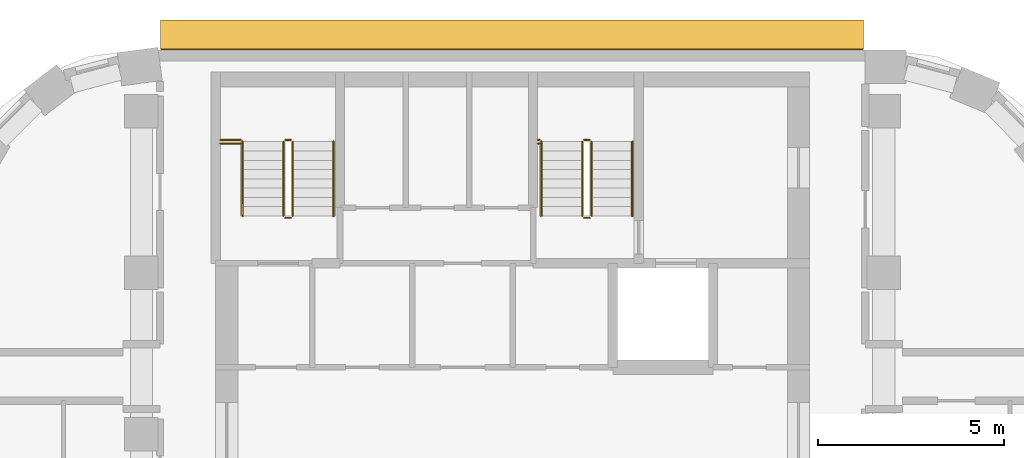
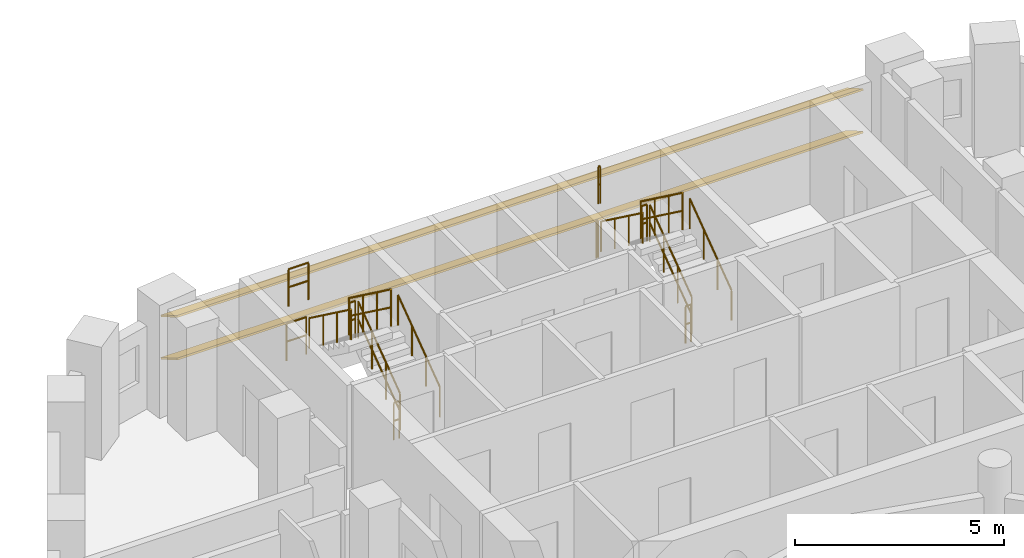
# One storey, part 12 of 12: 16 railings, 2 shading devices.
"""IFC4 building model written with IfcOpenShell, lengths in metres."""

from ifc_helpers import new_model, si_unit, direction, frame, origin, origin_2d, place, context, subcontext, project, spatial, rectangle, circle, extrude, material, material_profile, profile_set, type_object, element, save


model = new_model("IFC4")

# Units and contexts
model_context = context("Model", 3, precision=1e-05, world=origin(), true_north=direction((0.0, 1.0)))
body_context = subcontext(model_context, "Body", "Model", "MODEL_VIEW")
ifc_project = project(units=[si_unit("LENGTHUNIT", "METRE"), si_unit("AREAUNIT", "SQUARE_METRE"), si_unit("VOLUMEUNIT", "CUBIC_METRE"), si_unit("PLANEANGLEUNIT", "RADIAN"), si_unit("MASSUNIT", "GRAM", prefix="KILO")], contexts=[model_context])

# Site, building, storey
site_placement = place(None, origin())
site = spatial("IfcSite", under=ifc_project, at=site_placement, CompositionType="ELEMENT")
building_placement = place(site_placement, origin())
building = spatial("IfcBuilding", under=site, at=building_placement, Name="Nakaniwa Court", CompositionType="ELEMENT")
storey_placement = place(building_placement, frame((0.0, 0.0, 252.60009765625)))
storey = spatial("IfcBuildingStorey", under=building, at=storey_placement, Name="L66", CompositionType="ELEMENT", Elevation=252.60009765625)

# Shading devices
ifc_material_1 = material(Name="Perforated charcoal ceramic louvre blade")
ifc_material_profile = material_profile(ifc_material_1, rectangle(XDim=0.89990234375, YDim=0.050048828125, at=origin_2d()), Name="Perforated ceramic louvre blade")
ifc_profile_set = profile_set([ifc_material_profile], Name="Perforated charcoal ceramic louvre blade")
shading_device_type = type_object("IfcShadingDeviceType", Name="Perforated ceramic louvre blade", PredefinedType="JALOUSIE", material=ifc_profile_set)
for number, where, z_axis, x_axis, name in (
    (1, (89.44921875, 103.05224609375, 0.5498046875), (-1.0, 0.0, 0.0), (0.0, -0.866025403784, 0.5), "L66 perforated ceramic louvre blade w08 1"),
    (2, (89.44921875, 103.05224609375, 1.793212890625), (-1.0, 0.0, 0.0), (0.0, -0.866025403784, 0.5), "L66 perforated ceramic louvre blade w08 2"),
):
    element("IfcShadingDevice", number, at=place(storey_placement, frame(where, z_axis=z_axis, x_axis=x_axis)), inside=storey, type_object=shading_device_type, Name=name, PredefinedType="JALOUSIE", context=body_context, shape_type="SweptSolid", body=[
        extrude(rectangle(XDim=0.89990234375, YDim=0.050048828125, at=origin_2d()), origin(), (0.0, 0.0, 1.0), 18.933349609375),
    ])

# Railings
ifc_material_2 = material(Name="Black powder coated steel guard", Category="steel")
railing_type_1 = type_object("IfcRailingType", Name="Stair guard 1100", PredefinedType="GUARDRAIL", material=ifc_material_2)
railing_1_placement = place(storey_placement, frame((74.074951171875, 98.175048828125, 0.183349609375)))
element("IfcRailing", 3, at=railing_1_placement, inside=storey, type_object=railing_type_1, Name="L66 ST1 stair guard 1", PredefinedType="GUARDRAIL", context=body_context, shape_type="SweptSolid", body=[
    extrude(circle(Radius=0.02392578125, at=origin_2d()), frame((0.0, 0.0, 1.076171875), z_axis=(0.0, 0.806426902644, 0.591333789573), x_axis=(-1.0, 0.0, 0.0)), (0.0, 0.0, 1.0), 2.47998046875),
    extrude(circle(Radius=0.02392578125, at=origin_2d()), frame((0.0, 0.0, 0.550048828125), z_axis=(0.0, 0.806426902644, 0.591333789573), x_axis=(-1.0, 0.0, 0.0)), (0.0, 0.0, 1.0), 2.47998046875),
    extrude(circle(Radius=0.02099609375, at=origin_2d()), origin(), (0.0, 0.0, 1.0), 1.052001953125),
    extrude(circle(Radius=0.02099609375, at=origin_2d()), frame((0.0, 0.666748046875, 0.48876953125)), (0.0, 0.0, 1.0), 1.052001953125),
    extrude(circle(Radius=0.02099609375, at=origin_2d()), frame((0.0, 1.333251953125, 0.977783203125)), (0.0, 0.0, 1.0), 1.052001953125),
    extrude(circle(Radius=0.02099609375, at=origin_2d()), frame((0.0, 2.0, 1.466552734375)), (0.0, 0.0, 1.0), 1.052001953125),
])
railing_2_placement = place(storey_placement, frame((74.02490234375, 100.22509765625, 1.64990234375)))
element("IfcRailing", 4, at=railing_2_placement, inside=storey, type_object=railing_type_1, Name="L66 ST1 stair guard 2", PredefinedType="GUARDRAIL", context=body_context, shape_type="SweptSolid", body=[
    extrude(circle(Radius=0.02392578125, at=origin_2d()), frame((0.0, 0.0, 1.076171875), z_axis=(-1.0, 0.0, 0.0), x_axis=(0.0, -1.0, 0.0)), (0.0, 0.0, 1.0), 0.14990234375),
    extrude(circle(Radius=0.02392578125, at=origin_2d()), frame((0.0, 0.0, 0.550048828125), z_axis=(-1.0, 0.0, 0.0), x_axis=(0.0, -1.0, 0.0)), (0.0, 0.0, 1.0), 0.14990234375),
    extrude(circle(Radius=0.02099609375, at=origin_2d()), origin(), (0.0, 0.0, 1.0), 1.052001953125),
    extrude(circle(Radius=0.02099609375, at=origin_2d()), frame((-0.14990234375, 0.0, 0.0)), (0.0, 0.0, 1.0), 1.052001953125),
])
railing_3_placement = place(storey_placement, frame((73.824951171875, 100.175048828125, 1.833251953125)))
element("IfcRailing", 5, at=railing_3_placement, inside=storey, type_object=railing_type_1, Name="L66 ST1 stair guard 3", PredefinedType="GUARDRAIL", context=body_context, shape_type="SweptSolid", body=[
    extrude(circle(Radius=0.02392578125, at=origin_2d()), frame((0.0, 0.0, 1.076171875), z_axis=(0.0, -0.806426902644, 0.591333789573), x_axis=(1.0, 0.0, 0.0)), (0.0, 0.0, 1.0), 2.47998046875),
    extrude(circle(Radius=0.02392578125, at=origin_2d()), frame((0.0, 0.0, 0.550048828125), z_axis=(0.0, -0.806426902644, 0.591333789573), x_axis=(1.0, 0.0, 0.0)), (0.0, 0.0, 1.0), 2.47998046875),
    extrude(circle(Radius=0.02099609375, at=origin_2d()), origin(), (0.0, 0.0, 1.0), 1.052001953125),
    extrude(circle(Radius=0.02099609375, at=origin_2d()), frame((0.0, -0.666748046875, 0.48876953125)), (0.0, 0.0, 1.0), 1.052001953125),
    extrude(circle(Radius=0.02099609375, at=origin_2d()), frame((0.0, -1.333251953125, 0.977783203125)), (0.0, 0.0, 1.0), 1.052001953125),
    extrude(circle(Radius=0.02099609375, at=origin_2d()), frame((0.0, -2.0, 1.466552734375)), (0.0, 0.0, 1.0), 1.052001953125),
])
railing_4_placement = place(storey_placement, frame((74.02490234375, 98.125, 0.0)))
element("IfcRailing", 6, at=railing_4_placement, inside=storey, type_object=railing_type_1, Name="L66 ST1 stair guard 4", PredefinedType="GUARDRAIL", context=body_context, shape_type="SweptSolid", body=[
    extrude(circle(Radius=0.02392578125, at=origin_2d()), frame((0.0, 0.0, 1.076171875), z_axis=(-1.0, 0.0, 0.0), x_axis=(0.0, -1.0, 0.0)), (0.0, 0.0, 1.0), 0.14990234375),
    extrude(circle(Radius=0.02392578125, at=origin_2d()), frame((0.0, 0.0, 0.550048828125), z_axis=(-1.0, 0.0, 0.0), x_axis=(0.0, -1.0, 0.0)), (0.0, 0.0, 1.0), 0.14990234375),
    extrude(circle(Radius=0.02099609375, at=origin_2d()), origin(), (0.0, 0.0, 1.0), 1.052001953125),
    extrude(circle(Radius=0.02099609375, at=origin_2d()), frame((-0.14990234375, 0.0, 0.0)), (0.0, 0.0, 1.0), 1.052001953125),
])
for number, where, name in (
    (7, (72.125, 100.22509765625, 1.64990234375), "L66 ST1 landing side guard 1W"),
    (8, (72.125, 100.125, 3.2998046875), "L66 ST1 floor edge guard 1W"),
):
    element("IfcRailing", number, at=place(storey_placement, frame(where)), inside=storey, type_object=railing_type_1, Name=name, PredefinedType="GUARDRAIL", context=body_context, shape_type="SweptSolid", body=[
        extrude(circle(Radius=0.02392578125, at=origin_2d()), frame((0.0, 0.0, 1.076171875), z_axis=(1.0, 0.0, 0.0), x_axis=(0.0, 1.0, 0.0)), (0.0, 0.0, 1.0), 0.550048828125),
        extrude(circle(Radius=0.02392578125, at=origin_2d()), frame((0.0, 0.0, 0.550048828125), z_axis=(1.0, 0.0, 0.0), x_axis=(0.0, 1.0, 0.0)), (0.0, 0.0, 1.0), 0.550048828125),
        extrude(circle(Radius=0.02099609375, at=origin_2d()), origin(), (0.0, 0.0, 1.0), 1.052001953125),
        extrude(circle(Radius=0.02099609375, at=origin_2d()), frame((0.550048828125, 0.0, 0.0)), (0.0, 0.0, 1.0), 1.052001953125),
    ])
railing_5_placement = place(storey_placement, frame((82.125, 98.175048828125, 0.183349609375)))
element("IfcRailing", 9, at=railing_5_placement, inside=storey, type_object=railing_type_1, Name="L66 ST2 stair guard 1", PredefinedType="GUARDRAIL", context=body_context, shape_type="SweptSolid", body=[
    extrude(circle(Radius=0.02392578125, at=origin_2d()), frame((0.0, 0.0, 1.076171875), z_axis=(0.0, 0.806426902644, 0.591333789573), x_axis=(-1.0, 0.0, 0.0)), (0.0, 0.0, 1.0), 2.47998046875),
    extrude(circle(Radius=0.02392578125, at=origin_2d()), frame((0.0, 0.0, 0.550048828125), z_axis=(0.0, 0.806426902644, 0.591333789573), x_axis=(-1.0, 0.0, 0.0)), (0.0, 0.0, 1.0), 2.47998046875),
    extrude(circle(Radius=0.02099609375, at=origin_2d()), origin(), (0.0, 0.0, 1.0), 1.052001953125),
    extrude(circle(Radius=0.02099609375, at=origin_2d()), frame((0.0, 0.666748046875, 0.48876953125)), (0.0, 0.0, 1.0), 1.052001953125),
    extrude(circle(Radius=0.02099609375, at=origin_2d()), frame((0.0, 1.333251953125, 0.977783203125)), (0.0, 0.0, 1.0), 1.052001953125),
    extrude(circle(Radius=0.02099609375, at=origin_2d()), frame((0.0, 2.0, 1.466552734375)), (0.0, 0.0, 1.0), 1.052001953125),
])
railing_6_placement = place(storey_placement, frame((82.074951171875, 100.22509765625, 1.64990234375)))
element("IfcRailing", 10, at=railing_6_placement, inside=storey, type_object=railing_type_1, Name="L66 ST2 stair guard 2", PredefinedType="GUARDRAIL", context=body_context, shape_type="SweptSolid", body=[
    extrude(circle(Radius=0.02392578125, at=origin_2d()), frame((0.0, 0.0, 1.076171875), z_axis=(-1.0, 0.0, 0.0), x_axis=(0.0, -1.0, 0.0)), (0.0, 0.0, 1.0), 0.14990234375),
    extrude(circle(Radius=0.02392578125, at=origin_2d()), frame((0.0, 0.0, 0.550048828125), z_axis=(-1.0, 0.0, 0.0), x_axis=(0.0, -1.0, 0.0)), (0.0, 0.0, 1.0), 0.14990234375),
    extrude(circle(Radius=0.02099609375, at=origin_2d()), origin(), (0.0, 0.0, 1.0), 1.052001953125),
    extrude(circle(Radius=0.02099609375, at=origin_2d()), frame((-0.14990234375, 0.0, 0.0)), (0.0, 0.0, 1.0), 1.052001953125),
])
railing_7_placement = place(storey_placement, frame((81.875, 100.175048828125, 1.833251953125)))
element("IfcRailing", 11, at=railing_7_placement, inside=storey, type_object=railing_type_1, Name="L66 ST2 stair guard 3", PredefinedType="GUARDRAIL", context=body_context, shape_type="SweptSolid", body=[
    extrude(circle(Radius=0.02392578125, at=origin_2d()), frame((0.0, 0.0, 1.076171875), z_axis=(0.0, -0.806426902644, 0.591333789573), x_axis=(1.0, 0.0, 0.0)), (0.0, 0.0, 1.0), 2.47998046875),
    extrude(circle(Radius=0.02392578125, at=origin_2d()), frame((0.0, 0.0, 0.550048828125), z_axis=(0.0, -0.806426902644, 0.591333789573), x_axis=(1.0, 0.0, 0.0)), (0.0, 0.0, 1.0), 2.47998046875),
    extrude(circle(Radius=0.02099609375, at=origin_2d()), origin(), (0.0, 0.0, 1.0), 1.052001953125),
    extrude(circle(Radius=0.02099609375, at=origin_2d()), frame((0.0, -0.666748046875, 0.48876953125)), (0.0, 0.0, 1.0), 1.052001953125),
    extrude(circle(Radius=0.02099609375, at=origin_2d()), frame((0.0, -1.333251953125, 0.977783203125)), (0.0, 0.0, 1.0), 1.052001953125),
    extrude(circle(Radius=0.02099609375, at=origin_2d()), frame((0.0, -2.0, 1.466552734375)), (0.0, 0.0, 1.0), 1.052001953125),
])
railing_8_placement = place(storey_placement, frame((82.074951171875, 98.125, 0.0)))
element("IfcRailing", 12, at=railing_8_placement, inside=storey, type_object=railing_type_1, Name="L66 ST2 stair guard 4", PredefinedType="GUARDRAIL", context=body_context, shape_type="SweptSolid", body=[
    extrude(circle(Radius=0.02392578125, at=origin_2d()), frame((0.0, 0.0, 1.076171875), z_axis=(-1.0, 0.0, 0.0), x_axis=(0.0, -1.0, 0.0)), (0.0, 0.0, 1.0), 0.14990234375),
    extrude(circle(Radius=0.02392578125, at=origin_2d()), frame((0.0, 0.0, 0.550048828125), z_axis=(-1.0, 0.0, 0.0), x_axis=(0.0, -1.0, 0.0)), (0.0, 0.0, 1.0), 0.14990234375),
    extrude(circle(Radius=0.02099609375, at=origin_2d()), origin(), (0.0, 0.0, 1.0), 1.052001953125),
    extrude(circle(Radius=0.02099609375, at=origin_2d()), frame((-0.14990234375, 0.0, 0.0)), (0.0, 0.0, 1.0), 1.052001953125),
])
for number, where, name in (
    (13, (80.675048828125, 100.22509765625, 1.64990234375), "L66 ST2 landing side guard 1W"),
    (14, (80.675048828125, 100.125, 3.2998046875), "L66 ST2 floor edge guard 1W"),
):
    element("IfcRailing", number, at=place(storey_placement, frame(where)), inside=storey, type_object=railing_type_1, Name=name, PredefinedType="GUARDRAIL", context=body_context, shape_type="SweptSolid", body=[
        extrude(circle(Radius=0.02392578125, at=origin_2d()), frame((0.0, 0.0, 1.076171875), z_axis=(1.0, 0.0, 0.0), x_axis=(0.0, 1.0, 0.0)), (0.0, 0.0, 1.0), 0.050048828125),
        extrude(circle(Radius=0.02392578125, at=origin_2d()), frame((0.0, 0.0, 0.550048828125), z_axis=(1.0, 0.0, 0.0), x_axis=(0.0, 1.0, 0.0)), (0.0, 0.0, 1.0), 0.050048828125),
        extrude(circle(Radius=0.02099609375, at=origin_2d()), origin(), (0.0, 0.0, 1.0), 1.052001953125),
        extrude(circle(Radius=0.02099609375, at=origin_2d()), frame((0.050048828125, 0.0, 0.0)), (0.0, 0.0, 1.0), 1.052001953125),
    ])
ifc_material_3 = material(Name="Black powder coated steel handrail", Category="steel")
railing_type_2 = type_object("IfcRailingType", Name="Stair handrail 900", PredefinedType="HANDRAIL", material=ifc_material_3)
railing_9_placement = place(storey_placement, frame((75.175048828125, 98.175048828125, 0.183349609375)))
element("IfcRailing", 15, at=railing_9_placement, inside=storey, type_object=railing_type_2, Name="L66 ST1 stair handrail 1", PredefinedType="HANDRAIL", context=body_context, shape_type="SweptSolid", body=[
    extrude(circle(Radius=0.02392578125, at=origin_2d()), frame((0.0, 0.0, 0.8759765625), z_axis=(0.0, 0.806426902644, 0.591333789573), x_axis=(-1.0, 0.0, 0.0)), (0.0, 0.0, 1.0), 2.47998046875),
    extrude(circle(Radius=0.02099609375, at=origin_2d()), origin(), (0.0, 0.0, 1.0), 0.851806640625),
    extrude(circle(Radius=0.02099609375, at=origin_2d()), frame((0.0, 0.666748046875, 0.48876953125)), (0.0, 0.0, 1.0), 0.851806640625),
    extrude(circle(Radius=0.02099609375, at=origin_2d()), frame((0.0, 1.333251953125, 0.977783203125)), (0.0, 0.0, 1.0), 0.851806640625),
    extrude(circle(Radius=0.02099609375, at=origin_2d()), frame((0.0, 2.0, 1.466552734375)), (0.0, 0.0, 1.0), 0.851806640625),
])
railing_10_placement = place(storey_placement, frame((72.72509765625, 100.175048828125, 1.833251953125)))
element("IfcRailing", 16, at=railing_10_placement, inside=storey, type_object=railing_type_2, Name="L66 ST1 stair handrail 2", PredefinedType="HANDRAIL", context=body_context, shape_type="SweptSolid", body=[
    extrude(circle(Radius=0.02392578125, at=origin_2d()), frame((0.0, 0.0, 0.8759765625), z_axis=(0.0, -0.806426902644, 0.591333789573), x_axis=(1.0, 0.0, 0.0)), (0.0, 0.0, 1.0), 2.47998046875),
    extrude(circle(Radius=0.02099609375, at=origin_2d()), origin(), (0.0, 0.0, 1.0), 0.851806640625),
    extrude(circle(Radius=0.02099609375, at=origin_2d()), frame((0.0, -0.666748046875, 0.48876953125)), (0.0, 0.0, 1.0), 0.851806640625),
    extrude(circle(Radius=0.02099609375, at=origin_2d()), frame((0.0, -1.333251953125, 0.977783203125)), (0.0, 0.0, 1.0), 0.851806640625),
    extrude(circle(Radius=0.02099609375, at=origin_2d()), frame((0.0, -2.0, 1.466552734375)), (0.0, 0.0, 1.0), 0.851806640625),
])
railing_11_placement = place(storey_placement, frame((83.22509765625, 98.175048828125, 0.183349609375)))
element("IfcRailing", 17, at=railing_11_placement, inside=storey, type_object=railing_type_2, Name="L66 ST2 stair handrail 1", PredefinedType="HANDRAIL", context=body_context, shape_type="SweptSolid", body=[
    extrude(circle(Radius=0.02392578125, at=origin_2d()), frame((0.0, 0.0, 0.8759765625), z_axis=(0.0, 0.806426902644, 0.591333789573), x_axis=(-1.0, 0.0, 0.0)), (0.0, 0.0, 1.0), 2.47998046875),
    extrude(circle(Radius=0.02099609375, at=origin_2d()), origin(), (0.0, 0.0, 1.0), 0.851806640625),
    extrude(circle(Radius=0.02099609375, at=origin_2d()), frame((0.0, 0.666748046875, 0.48876953125)), (0.0, 0.0, 1.0), 0.851806640625),
    extrude(circle(Radius=0.02099609375, at=origin_2d()), frame((0.0, 1.333251953125, 0.977783203125)), (0.0, 0.0, 1.0), 0.851806640625),
    extrude(circle(Radius=0.02099609375, at=origin_2d()), frame((0.0, 2.0, 1.466552734375)), (0.0, 0.0, 1.0), 0.851806640625),
])
railing_12_placement = place(storey_placement, frame((80.77490234375, 100.175048828125, 1.833251953125)))
element("IfcRailing", 18, at=railing_12_placement, inside=storey, type_object=railing_type_2, Name="L66 ST2 stair handrail 2", PredefinedType="HANDRAIL", context=body_context, shape_type="SweptSolid", body=[
    extrude(circle(Radius=0.02392578125, at=origin_2d()), frame((0.0, 0.0, 0.8759765625), z_axis=(0.0, -0.806426902644, 0.591333789573), x_axis=(1.0, 0.0, 0.0)), (0.0, 0.0, 1.0), 2.47998046875),
    extrude(circle(Radius=0.02099609375, at=origin_2d()), origin(), (0.0, 0.0, 1.0), 0.851806640625),
    extrude(circle(Radius=0.02099609375, at=origin_2d()), frame((0.0, -0.666748046875, 0.48876953125)), (0.0, 0.0, 1.0), 0.851806640625),
    extrude(circle(Radius=0.02099609375, at=origin_2d()), frame((0.0, -1.333251953125, 0.977783203125)), (0.0, 0.0, 1.0), 0.851806640625),
    extrude(circle(Radius=0.02099609375, at=origin_2d()), frame((0.0, -2.0, 1.466552734375)), (0.0, 0.0, 1.0), 0.851806640625),
])

save(model, "model.ifc")
